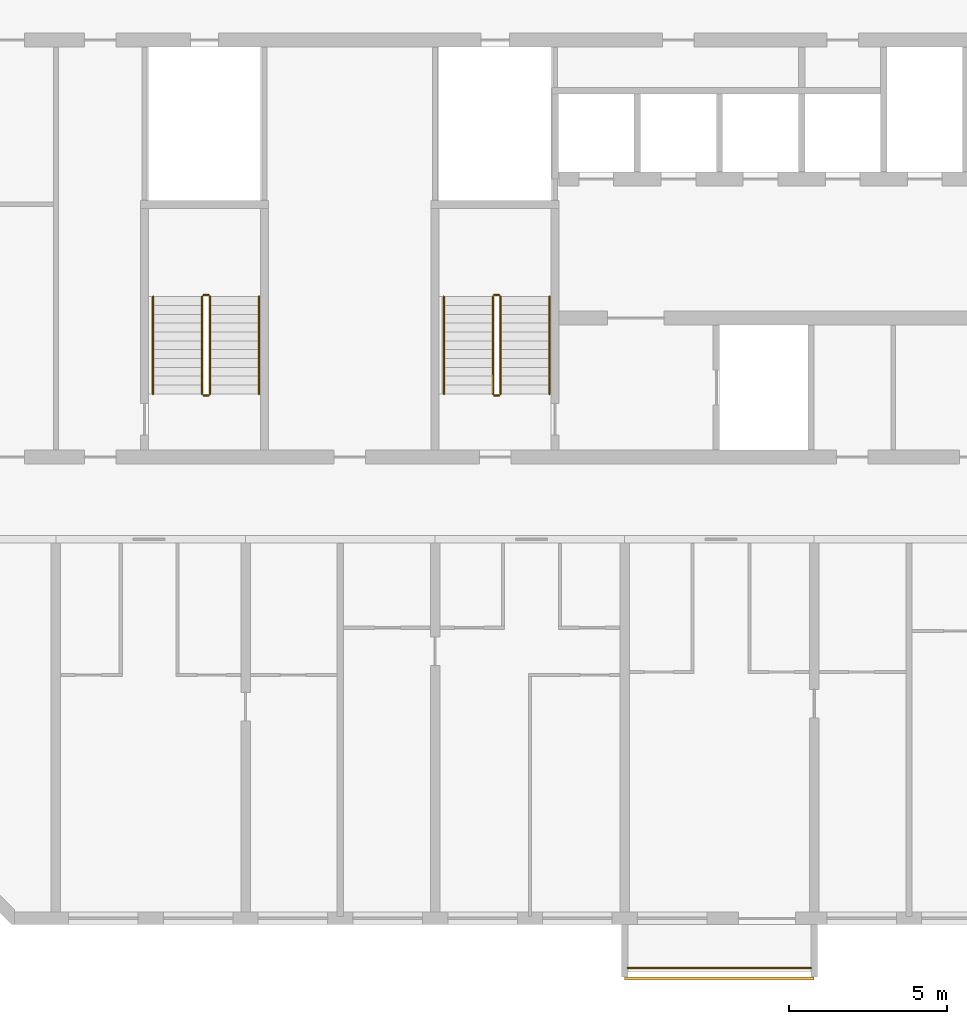
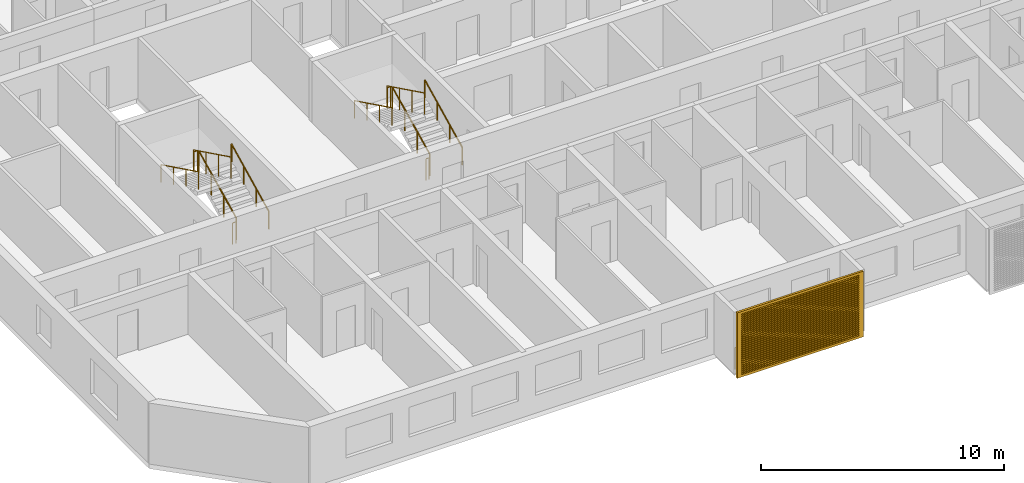
# One storey, part 14 of 32: 13 railings, 1 shading device.
"""IFC4 building model written with IfcOpenShell, lengths in metres."""

from ifc_helpers import new_model, si_unit, direction, frame, origin, origin_2d, place, context, subcontext, project, spatial, polyline, circle, outline, extrude, source, transform, mapped, material, material_profile, profile_set, type_object, element, save


model = new_model("IFC4")

# Units and contexts
model_context = context("Model", 3, precision=1e-05, world=origin(), true_north=direction((0.0, 1.0)))
body_context = subcontext(model_context, "Body", "Model", "MODEL_VIEW")
ifc_project = project(units=[si_unit("LENGTHUNIT", "METRE"), si_unit("AREAUNIT", "SQUARE_METRE"), si_unit("VOLUMEUNIT", "CUBIC_METRE"), si_unit("PLANEANGLEUNIT", "RADIAN"), si_unit("MASSUNIT", "GRAM", prefix="KILO")], contexts=[model_context])

# Site, building, storey
site_placement = place(None, origin())
site = spatial("IfcSite", under=ifc_project, at=site_placement, CompositionType="ELEMENT")
building_placement = place(site_placement, origin())
building = spatial("IfcBuilding", under=site, at=building_placement, Name="Poui Terraces", CompositionType="ELEMENT")
storey_placement = place(building_placement, frame((0.0, 0.0, 122.39990234375)))
storey = spatial("IfcBuildingStorey", under=building, at=storey_placement, Name="L33", CompositionType="ELEMENT", Elevation=122.39990234375)

# Railings
ifc_material_1 = material(Name="Painted steel fretwork", Category="steel")
railing_type_1 = type_object("IfcRailingType", Name="BALCONY GUARD 1100", PredefinedType="GUARDRAIL", material=ifc_material_1)
railing_1_placement = place(storey_placement, frame((36.10009765625, -1.570068359375, 0.0)))
element("IfcRailing", 1, at=railing_1_placement, inside=storey, type_object=railing_type_1, Name="BALCONY GUARD", PredefinedType="GUARDRAIL", context=body_context, shape_type="SweptSolid", body=[
    extrude(circle(Radius=0.02392578125, at=origin_2d()), frame((0.0, 0.0, 1.076171875), z_axis=(1.0, 0.0, 0.0), x_axis=(0.0, 1.0, 0.0)), (0.0, 0.0, 1.0), 5.7998046875),
    extrude(circle(Radius=0.02099609375, at=origin_2d()), origin(), (0.0, 0.0, 1.0), 1.052001953125),
    extrude(circle(Radius=0.02099609375, at=origin_2d()), frame((0.966552734375, 0.0, 0.0)), (0.0, 0.0, 1.0), 1.052001953125),
    extrude(circle(Radius=0.02099609375, at=origin_2d()), frame((1.933349609375, 0.0, 0.0)), (0.0, 0.0, 1.0), 1.052001953125),
    extrude(circle(Radius=0.02099609375, at=origin_2d()), frame((2.89990234375, 0.0, 0.0)), (0.0, 0.0, 1.0), 1.052001953125),
    extrude(circle(Radius=0.02099609375, at=origin_2d()), frame((3.866455078125, 0.0, 0.0)), (0.0, 0.0, 1.0), 1.052001953125),
    extrude(circle(Radius=0.02099609375, at=origin_2d()), frame((4.833251953125, 0.0, 0.0)), (0.0, 0.0, 1.0), 1.052001953125),
    extrude(circle(Radius=0.02099609375, at=origin_2d()), frame((5.7998046875, 0.0, 0.0)), (0.0, 0.0, 1.0), 1.052001953125),
])
ifc_material_2 = material(Name="Galvanised steel balustrade", Category="steel")
railing_type_2 = type_object("IfcRailingType", Name="STAIR GUARD 1100", PredefinedType="GUARDRAIL", material=ifc_material_2)
railing_2_placement = place(storey_placement, frame((32.074951171875, 16.60009765625, 0.1376953125)))
element("IfcRailing", 2, at=railing_2_placement, inside=storey, type_object=railing_type_2, Name="L33 ST-CW stair guard 1", PredefinedType="GUARDRAIL", context=body_context, shape_type="SweptSolid", body=[
    extrude(circle(Radius=0.02392578125, at=origin_2d()), frame((0.0, 0.0, 1.076171875), z_axis=(0.0, 0.897606190399, 0.440798283751), x_axis=(-1.0, 0.0, 0.0)), (0.0, 0.0, 1.0), 3.43115234375),
    extrude(circle(Radius=0.02099609375, at=origin_2d()), origin(), (0.0, 0.0, 1.0), 1.052001953125),
    extrude(circle(Radius=0.02099609375, at=origin_2d()), frame((0.0, 1.026611328125, 0.504150390625)), (0.0, 0.0, 1.0), 1.052001953125),
    extrude(circle(Radius=0.02099609375, at=origin_2d()), frame((0.0, 2.05322265625, 1.00830078125)), (0.0, 0.0, 1.0), 1.052001953125),
    extrude(circle(Radius=0.02099609375, at=origin_2d()), frame((0.0, 3.079833984375, 1.512451171875)), (0.0, 0.0, 1.0), 1.052001953125),
])
railing_3_placement = place(storey_placement, frame((32.02490234375, 19.72998046875, 1.650146484375)))
element("IfcRailing", 3, at=railing_3_placement, inside=storey, type_object=railing_type_2, Name="L33 ST-CW stair guard 2", PredefinedType="GUARDRAIL", context=body_context, shape_type="SweptSolid", body=[
    extrude(circle(Radius=0.02392578125, at=origin_2d()), frame((0.0, 0.0, 1.076171875), z_axis=(-1.0, 0.0, 0.0), x_axis=(0.0, -1.0, 0.0)), (0.0, 0.0, 1.0), 0.14990234375),
    extrude(circle(Radius=0.02099609375, at=origin_2d()), origin(), (0.0, 0.0, 1.0), 1.052001953125),
    extrude(circle(Radius=0.02099609375, at=origin_2d()), frame((-0.14990234375, 0.0, 0.0)), (0.0, 0.0, 1.0), 1.052001953125),
])
railing_4_placement = place(storey_placement, frame((31.824951171875, 19.679931640625, 1.78759765625)))
element("IfcRailing", 4, at=railing_4_placement, inside=storey, type_object=railing_type_2, Name="L33 ST-CW stair guard 3", PredefinedType="GUARDRAIL", context=body_context, shape_type="SweptSolid", body=[
    extrude(circle(Radius=0.02392578125, at=origin_2d()), frame((0.0, 0.0, 1.076171875), z_axis=(0.0, -0.897606190399, 0.440798283751), x_axis=(1.0, 0.0, 0.0)), (0.0, 0.0, 1.0), 3.43115234375),
    extrude(circle(Radius=0.02099609375, at=origin_2d()), origin(), (0.0, 0.0, 1.0), 1.052001953125),
    extrude(circle(Radius=0.02099609375, at=origin_2d()), frame((0.0, -1.026611328125, 0.504150390625)), (0.0, 0.0, 1.0), 1.052001953125),
    extrude(circle(Radius=0.02099609375, at=origin_2d()), frame((0.0, -2.05322265625, 1.00830078125)), (0.0, 0.0, 1.0), 1.052001953125),
    extrude(circle(Radius=0.02099609375, at=origin_2d()), frame((0.0, -3.079833984375, 1.512451171875)), (0.0, 0.0, 1.0), 1.052001953125),
])
railing_5_placement = place(storey_placement, frame((32.02490234375, 16.550048828125, 0.0)))
element("IfcRailing", 5, at=railing_5_placement, inside=storey, type_object=railing_type_2, Name="L33 ST-CW stair guard 4", PredefinedType="GUARDRAIL", context=body_context, shape_type="SweptSolid", body=[
    extrude(circle(Radius=0.02392578125, at=origin_2d()), frame((0.0, 0.0, 1.076171875), z_axis=(-1.0, 0.0, 0.0), x_axis=(0.0, -1.0, 0.0)), (0.0, 0.0, 1.0), 0.14990234375),
    extrude(circle(Radius=0.02099609375, at=origin_2d()), origin(), (0.0, 0.0, 1.0), 1.052001953125),
    extrude(circle(Radius=0.02099609375, at=origin_2d()), frame((-0.14990234375, 0.0, 0.0)), (0.0, 0.0, 1.0), 1.052001953125),
])
railing_6_placement = place(storey_placement, frame((22.875, 16.60009765625, 0.1376953125)))
element("IfcRailing", 6, at=railing_6_placement, inside=storey, type_object=railing_type_2, Name="L33 ST-W stair guard 1", PredefinedType="GUARDRAIL", context=body_context, shape_type="SweptSolid", body=[
    extrude(circle(Radius=0.02392578125, at=origin_2d()), frame((0.0, 0.0, 1.076171875), z_axis=(0.0, 0.897606190399, 0.440798283751), x_axis=(-1.0, 0.0, 0.0)), (0.0, 0.0, 1.0), 3.43115234375),
    extrude(circle(Radius=0.02099609375, at=origin_2d()), origin(), (0.0, 0.0, 1.0), 1.052001953125),
    extrude(circle(Radius=0.02099609375, at=origin_2d()), frame((0.0, 1.026611328125, 0.504150390625)), (0.0, 0.0, 1.0), 1.052001953125),
    extrude(circle(Radius=0.02099609375, at=origin_2d()), frame((0.0, 2.05322265625, 1.00830078125)), (0.0, 0.0, 1.0), 1.052001953125),
    extrude(circle(Radius=0.02099609375, at=origin_2d()), frame((0.0, 3.079833984375, 1.512451171875)), (0.0, 0.0, 1.0), 1.052001953125),
])
railing_7_placement = place(storey_placement, frame((22.824951171875, 19.72998046875, 1.650146484375)))
element("IfcRailing", 7, at=railing_7_placement, inside=storey, type_object=railing_type_2, Name="L33 ST-W stair guard 2", PredefinedType="GUARDRAIL", context=body_context, shape_type="SweptSolid", body=[
    extrude(circle(Radius=0.02392578125, at=origin_2d()), frame((0.0, 0.0, 1.076171875), z_axis=(-1.0, 0.0, 0.0), x_axis=(0.0, -1.0, 0.0)), (0.0, 0.0, 1.0), 0.14990234375),
    extrude(circle(Radius=0.02099609375, at=origin_2d()), origin(), (0.0, 0.0, 1.0), 1.052001953125),
    extrude(circle(Radius=0.02099609375, at=origin_2d()), frame((-0.14990234375, 0.0, 0.0)), (0.0, 0.0, 1.0), 1.052001953125),
])
railing_8_placement = place(storey_placement, frame((22.625, 19.679931640625, 1.78759765625)))
element("IfcRailing", 8, at=railing_8_placement, inside=storey, type_object=railing_type_2, Name="L33 ST-W stair guard 3", PredefinedType="GUARDRAIL", context=body_context, shape_type="SweptSolid", body=[
    extrude(circle(Radius=0.02392578125, at=origin_2d()), frame((0.0, 0.0, 1.076171875), z_axis=(0.0, -0.897606190399, 0.440798283751), x_axis=(1.0, 0.0, 0.0)), (0.0, 0.0, 1.0), 3.43115234375),
    extrude(circle(Radius=0.02099609375, at=origin_2d()), origin(), (0.0, 0.0, 1.0), 1.052001953125),
    extrude(circle(Radius=0.02099609375, at=origin_2d()), frame((0.0, -1.026611328125, 0.504150390625)), (0.0, 0.0, 1.0), 1.052001953125),
    extrude(circle(Radius=0.02099609375, at=origin_2d()), frame((0.0, -2.05322265625, 1.00830078125)), (0.0, 0.0, 1.0), 1.052001953125),
    extrude(circle(Radius=0.02099609375, at=origin_2d()), frame((0.0, -3.079833984375, 1.512451171875)), (0.0, 0.0, 1.0), 1.052001953125),
])
railing_9_placement = place(storey_placement, frame((22.824951171875, 16.550048828125, 0.0)))
element("IfcRailing", 9, at=railing_9_placement, inside=storey, type_object=railing_type_2, Name="L33 ST-W stair guard 4", PredefinedType="GUARDRAIL", context=body_context, shape_type="SweptSolid", body=[
    extrude(circle(Radius=0.02392578125, at=origin_2d()), frame((0.0, 0.0, 1.076171875), z_axis=(-1.0, 0.0, 0.0), x_axis=(0.0, -1.0, 0.0)), (0.0, 0.0, 1.0), 0.14990234375),
    extrude(circle(Radius=0.02099609375, at=origin_2d()), origin(), (0.0, 0.0, 1.0), 1.052001953125),
    extrude(circle(Radius=0.02099609375, at=origin_2d()), frame((-0.14990234375, 0.0, 0.0)), (0.0, 0.0, 1.0), 1.052001953125),
])
ifc_material_3 = material(Name="Stainless steel handrail", Category="steel")
railing_type_3 = type_object("IfcRailingType", Name="STAIR HANDRAIL 900", PredefinedType="HANDRAIL", material=ifc_material_3)
railing_10_placement = place(storey_placement, frame((33.625, 16.60009765625, 0.1376953125)))
element("IfcRailing", 10, at=railing_10_placement, inside=storey, type_object=railing_type_3, Name="L33 ST-CW stair handrail 1", PredefinedType="HANDRAIL", context=body_context, shape_type="SweptSolid", body=[
    extrude(circle(Radius=0.02392578125, at=origin_2d()), frame((0.0, 0.0, 0.8759765625), z_axis=(0.0, 0.897606190399, 0.440798283751), x_axis=(-1.0, 0.0, 0.0)), (0.0, 0.0, 1.0), 3.43115234375),
    extrude(circle(Radius=0.02099609375, at=origin_2d()), origin(), (0.0, 0.0, 1.0), 0.851806640625),
    extrude(circle(Radius=0.02099609375, at=origin_2d()), frame((0.0, 1.026611328125, 0.504150390625)), (0.0, 0.0, 1.0), 0.851806640625),
    extrude(circle(Radius=0.02099609375, at=origin_2d()), frame((0.0, 2.05322265625, 1.00830078125)), (0.0, 0.0, 1.0), 0.851806640625),
    extrude(circle(Radius=0.02099609375, at=origin_2d()), frame((0.0, 3.079833984375, 1.512451171875)), (0.0, 0.0, 1.0), 0.851806640625),
])
railing_11_placement = place(storey_placement, frame((30.27490234375, 19.679931640625, 1.78759765625)))
element("IfcRailing", 11, at=railing_11_placement, inside=storey, type_object=railing_type_3, Name="L33 ST-CW stair handrail 2", PredefinedType="HANDRAIL", context=body_context, shape_type="SweptSolid", body=[
    extrude(circle(Radius=0.02392578125, at=origin_2d()), frame((0.0, 0.0, 0.8759765625), z_axis=(0.0, -0.897606190399, 0.440798283751), x_axis=(1.0, 0.0, 0.0)), (0.0, 0.0, 1.0), 3.43115234375),
    extrude(circle(Radius=0.02099609375, at=origin_2d()), origin(), (0.0, 0.0, 1.0), 0.851806640625),
    extrude(circle(Radius=0.02099609375, at=origin_2d()), frame((0.0, -1.026611328125, 0.504150390625)), (0.0, 0.0, 1.0), 0.851806640625),
    extrude(circle(Radius=0.02099609375, at=origin_2d()), frame((0.0, -2.05322265625, 1.00830078125)), (0.0, 0.0, 1.0), 0.851806640625),
    extrude(circle(Radius=0.02099609375, at=origin_2d()), frame((0.0, -3.079833984375, 1.512451171875)), (0.0, 0.0, 1.0), 0.851806640625),
])
railing_12_placement = place(storey_placement, frame((24.425048828125, 16.60009765625, 0.1376953125)))
element("IfcRailing", 12, at=railing_12_placement, inside=storey, type_object=railing_type_3, Name="L33 ST-W stair handrail 1", PredefinedType="HANDRAIL", context=body_context, shape_type="SweptSolid", body=[
    extrude(circle(Radius=0.02392578125, at=origin_2d()), frame((0.0, 0.0, 0.8759765625), z_axis=(0.0, 0.897606190399, 0.440798283751), x_axis=(-1.0, 0.0, 0.0)), (0.0, 0.0, 1.0), 3.43115234375),
    extrude(circle(Radius=0.02099609375, at=origin_2d()), origin(), (0.0, 0.0, 1.0), 0.851806640625),
    extrude(circle(Radius=0.02099609375, at=origin_2d()), frame((0.0, 1.026611328125, 0.504150390625)), (0.0, 0.0, 1.0), 0.851806640625),
    extrude(circle(Radius=0.02099609375, at=origin_2d()), frame((0.0, 2.05322265625, 1.00830078125)), (0.0, 0.0, 1.0), 0.851806640625),
    extrude(circle(Radius=0.02099609375, at=origin_2d()), frame((0.0, 3.079833984375, 1.512451171875)), (0.0, 0.0, 1.0), 0.851806640625),
])
railing_13_placement = place(storey_placement, frame((21.074951171875, 19.679931640625, 1.78759765625)))
element("IfcRailing", 13, at=railing_13_placement, inside=storey, type_object=railing_type_3, Name="L33 ST-W stair handrail 2", PredefinedType="HANDRAIL", context=body_context, shape_type="SweptSolid", body=[
    extrude(circle(Radius=0.02392578125, at=origin_2d()), frame((0.0, 0.0, 0.8759765625), z_axis=(0.0, -0.897606190399, 0.440798283751), x_axis=(1.0, 0.0, 0.0)), (0.0, 0.0, 1.0), 3.43115234375),
    extrude(circle(Radius=0.02099609375, at=origin_2d()), origin(), (0.0, 0.0, 1.0), 0.851806640625),
    extrude(circle(Radius=0.02099609375, at=origin_2d()), frame((0.0, -1.026611328125, 0.504150390625)), (0.0, 0.0, 1.0), 0.851806640625),
    extrude(circle(Radius=0.02099609375, at=origin_2d()), frame((0.0, -2.05322265625, 1.00830078125)), (0.0, 0.0, 1.0), 0.851806640625),
    extrude(circle(Radius=0.02099609375, at=origin_2d()), frame((0.0, -3.079833984375, 1.512451171875)), (0.0, 0.0, 1.0), 0.851806640625),
])

# Shading device
ifc_material_4 = material(Name="Aluminium louvre", Category="aluminium")
ifc_material_profile = material_profile(ifc_material_4, outline(polyline([(-3.0, -1.64990234375), (3.0, -1.64990234375), (3.0, 1.64990234375), (-3.0, 1.64990234375), (-3.0, -1.64990234375)]), holes=[polyline([(-2.800048828125, -1.530029296875), (2.800048828125, -1.530029296875), (2.800048828125, -1.469970703125), (-2.800048828125, -1.469970703125), (-2.800048828125, -1.530029296875)]), polyline([(-2.800048828125, -1.429931640625), (2.800048828125, -1.429931640625), (2.800048828125, -1.3701171875), (-2.800048828125, -1.3701171875), (-2.800048828125, -1.429931640625)]), polyline([(-2.800048828125, -1.330078125), (2.800048828125, -1.330078125), (2.800048828125, -1.27001953125), (-2.800048828125, -1.27001953125), (-2.800048828125, -1.330078125)]), polyline([(-2.800048828125, -1.22998046875), (2.800048828125, -1.22998046875), (2.800048828125, -1.169921875), (-2.800048828125, -1.169921875), (-2.800048828125, -1.22998046875)]), polyline([(-2.800048828125, -1.1298828125), (2.800048828125, -1.1298828125), (2.800048828125, -1.070068359375), (-2.800048828125, -1.070068359375), (-2.800048828125, -1.1298828125)]), polyline([(-2.800048828125, -1.030029296875), (2.800048828125, -1.030029296875), (2.800048828125, -0.969970703125), (-2.800048828125, -0.969970703125), (-2.800048828125, -1.030029296875)]), polyline([(-2.800048828125, -0.929931640625), (2.800048828125, -0.929931640625), (2.800048828125, -0.8701171875), (-2.800048828125, -0.8701171875), (-2.800048828125, -0.929931640625)]), polyline([(-2.800048828125, -0.830078125), (2.800048828125, -0.830078125), (2.800048828125, -0.77001953125), (-2.800048828125, -0.77001953125), (-2.800048828125, -0.830078125)]), polyline([(-2.800048828125, -0.72998046875), (2.800048828125, -0.72998046875), (2.800048828125, -0.669921875), (-2.800048828125, -0.669921875), (-2.800048828125, -0.72998046875)]), polyline([(-2.800048828125, -0.6298828125), (2.800048828125, -0.6298828125), (2.800048828125, -0.570068359375), (-2.800048828125, -0.570068359375), (-2.800048828125, -0.6298828125)]), polyline([(-2.800048828125, -0.530029296875), (2.800048828125, -0.530029296875), (2.800048828125, -0.469970703125), (-2.800048828125, -0.469970703125), (-2.800048828125, -0.530029296875)]), polyline([(-2.800048828125, -0.429931640625), (2.800048828125, -0.429931640625), (2.800048828125, -0.3701171875), (-2.800048828125, -0.3701171875), (-2.800048828125, -0.429931640625)]), polyline([(-2.800048828125, -0.330078125), (2.800048828125, -0.330078125), (2.800048828125, -0.27001953125), (-2.800048828125, -0.27001953125), (-2.800048828125, -0.330078125)]), polyline([(-2.800048828125, -0.22998046875), (2.800048828125, -0.22998046875), (2.800048828125, -0.169921875), (-2.800048828125, -0.169921875), (-2.800048828125, -0.22998046875)]), polyline([(-2.800048828125, -0.1298828125), (2.800048828125, -0.1298828125), (2.800048828125, -0.070068359375), (-2.800048828125, -0.070068359375), (-2.800048828125, -0.1298828125)]), polyline([(-2.800048828125, -0.030029296875), (2.800048828125, -0.030029296875), (2.800048828125, 0.030029296875), (-2.800048828125, 0.030029296875), (-2.800048828125, -0.030029296875)]), polyline([(-2.800048828125, 0.070068359375), (2.800048828125, 0.070068359375), (2.800048828125, 0.1298828125), (-2.800048828125, 0.1298828125), (-2.800048828125, 0.070068359375)]), polyline([(-2.800048828125, 0.169921875), (2.800048828125, 0.169921875), (2.800048828125, 0.22998046875), (-2.800048828125, 0.22998046875), (-2.800048828125, 0.169921875)]), polyline([(-2.800048828125, 0.27001953125), (2.800048828125, 0.27001953125), (2.800048828125, 0.330078125), (-2.800048828125, 0.330078125), (-2.800048828125, 0.27001953125)]), polyline([(-2.800048828125, 0.3701171875), (2.800048828125, 0.3701171875), (2.800048828125, 0.429931640625), (-2.800048828125, 0.429931640625), (-2.800048828125, 0.3701171875)]), polyline([(-2.800048828125, 0.469970703125), (2.800048828125, 0.469970703125), (2.800048828125, 0.530029296875), (-2.800048828125, 0.530029296875), (-2.800048828125, 0.469970703125)]), polyline([(-2.800048828125, 0.570068359375), (2.800048828125, 0.570068359375), (2.800048828125, 0.6298828125), (-2.800048828125, 0.6298828125), (-2.800048828125, 0.570068359375)]), polyline([(-2.800048828125, 0.669921875), (2.800048828125, 0.669921875), (2.800048828125, 0.72998046875), (-2.800048828125, 0.72998046875), (-2.800048828125, 0.669921875)]), polyline([(-2.800048828125, 0.77001953125), (2.800048828125, 0.77001953125), (2.800048828125, 0.830078125), (-2.800048828125, 0.830078125), (-2.800048828125, 0.77001953125)]), polyline([(-2.800048828125, 0.8701171875), (2.800048828125, 0.8701171875), (2.800048828125, 0.929931640625), (-2.800048828125, 0.929931640625), (-2.800048828125, 0.8701171875)]), polyline([(-2.800048828125, 0.969970703125), (2.800048828125, 0.969970703125), (2.800048828125, 1.030029296875), (-2.800048828125, 1.030029296875), (-2.800048828125, 0.969970703125)]), polyline([(-2.800048828125, 1.070068359375), (2.800048828125, 1.070068359375), (2.800048828125, 1.1298828125), (-2.800048828125, 1.1298828125), (-2.800048828125, 1.070068359375)]), polyline([(-2.800048828125, 1.169921875), (2.800048828125, 1.169921875), (2.800048828125, 1.22998046875), (-2.800048828125, 1.22998046875), (-2.800048828125, 1.169921875)]), polyline([(-2.800048828125, 1.27001953125), (2.800048828125, 1.27001953125), (2.800048828125, 1.330078125), (-2.800048828125, 1.330078125), (-2.800048828125, 1.27001953125)]), polyline([(-2.800048828125, 1.3701171875), (2.800048828125, 1.3701171875), (2.800048828125, 1.429931640625), (-2.800048828125, 1.429931640625), (-2.800048828125, 1.3701171875)]), polyline([(-2.800048828125, 1.469970703125), (2.800048828125, 1.469970703125), (2.800048828125, 1.530029296875), (-2.800048828125, 1.530029296875), (-2.800048828125, 1.469970703125)])]), Name="JALOUSIE LOUVRE SHUTTER 6000X3300")
ifc_profile_set = profile_set([ifc_material_profile], Name="Aluminium louvre")
shading_device_type = type_object("IfcShadingDeviceType", Name="JALOUSIE LOUVRE SHUTTER 6000X3300", PredefinedType="JALOUSIE", material=ifc_profile_set)
shared_shape = source(origin(), body_context, "Body", "SweptSolid", [
    extrude(outline(polyline([(-3.0, -1.64990234375), (3.0, -1.64990234375), (3.0, 1.64990234375), (-3.0, 1.64990234375), (-3.0, -1.64990234375)]), holes=[polyline([(-2.800048828125, -1.530029296875), (2.800048828125, -1.530029296875), (2.800048828125, -1.469970703125), (-2.800048828125, -1.469970703125), (-2.800048828125, -1.530029296875)]), polyline([(-2.800048828125, -1.429931640625), (2.800048828125, -1.429931640625), (2.800048828125, -1.3701171875), (-2.800048828125, -1.3701171875), (-2.800048828125, -1.429931640625)]), polyline([(-2.800048828125, -1.330078125), (2.800048828125, -1.330078125), (2.800048828125, -1.27001953125), (-2.800048828125, -1.27001953125), (-2.800048828125, -1.330078125)]), polyline([(-2.800048828125, -1.22998046875), (2.800048828125, -1.22998046875), (2.800048828125, -1.169921875), (-2.800048828125, -1.169921875), (-2.800048828125, -1.22998046875)]), polyline([(-2.800048828125, -1.1298828125), (2.800048828125, -1.1298828125), (2.800048828125, -1.070068359375), (-2.800048828125, -1.070068359375), (-2.800048828125, -1.1298828125)]), polyline([(-2.800048828125, -1.030029296875), (2.800048828125, -1.030029296875), (2.800048828125, -0.969970703125), (-2.800048828125, -0.969970703125), (-2.800048828125, -1.030029296875)]), polyline([(-2.800048828125, -0.929931640625), (2.800048828125, -0.929931640625), (2.800048828125, -0.8701171875), (-2.800048828125, -0.8701171875), (-2.800048828125, -0.929931640625)]), polyline([(-2.800048828125, -0.830078125), (2.800048828125, -0.830078125), (2.800048828125, -0.77001953125), (-2.800048828125, -0.77001953125), (-2.800048828125, -0.830078125)]), polyline([(-2.800048828125, -0.72998046875), (2.800048828125, -0.72998046875), (2.800048828125, -0.669921875), (-2.800048828125, -0.669921875), (-2.800048828125, -0.72998046875)]), polyline([(-2.800048828125, -0.6298828125), (2.800048828125, -0.6298828125), (2.800048828125, -0.570068359375), (-2.800048828125, -0.570068359375), (-2.800048828125, -0.6298828125)]), polyline([(-2.800048828125, -0.530029296875), (2.800048828125, -0.530029296875), (2.800048828125, -0.469970703125), (-2.800048828125, -0.469970703125), (-2.800048828125, -0.530029296875)]), polyline([(-2.800048828125, -0.429931640625), (2.800048828125, -0.429931640625), (2.800048828125, -0.3701171875), (-2.800048828125, -0.3701171875), (-2.800048828125, -0.429931640625)]), polyline([(-2.800048828125, -0.330078125), (2.800048828125, -0.330078125), (2.800048828125, -0.27001953125), (-2.800048828125, -0.27001953125), (-2.800048828125, -0.330078125)]), polyline([(-2.800048828125, -0.22998046875), (2.800048828125, -0.22998046875), (2.800048828125, -0.169921875), (-2.800048828125, -0.169921875), (-2.800048828125, -0.22998046875)]), polyline([(-2.800048828125, -0.1298828125), (2.800048828125, -0.1298828125), (2.800048828125, -0.070068359375), (-2.800048828125, -0.070068359375), (-2.800048828125, -0.1298828125)]), polyline([(-2.800048828125, -0.030029296875), (2.800048828125, -0.030029296875), (2.800048828125, 0.030029296875), (-2.800048828125, 0.030029296875), (-2.800048828125, -0.030029296875)]), polyline([(-2.800048828125, 0.070068359375), (2.800048828125, 0.070068359375), (2.800048828125, 0.1298828125), (-2.800048828125, 0.1298828125), (-2.800048828125, 0.070068359375)]), polyline([(-2.800048828125, 0.169921875), (2.800048828125, 0.169921875), (2.800048828125, 0.22998046875), (-2.800048828125, 0.22998046875), (-2.800048828125, 0.169921875)]), polyline([(-2.800048828125, 0.27001953125), (2.800048828125, 0.27001953125), (2.800048828125, 0.330078125), (-2.800048828125, 0.330078125), (-2.800048828125, 0.27001953125)]), polyline([(-2.800048828125, 0.3701171875), (2.800048828125, 0.3701171875), (2.800048828125, 0.429931640625), (-2.800048828125, 0.429931640625), (-2.800048828125, 0.3701171875)]), polyline([(-2.800048828125, 0.469970703125), (2.800048828125, 0.469970703125), (2.800048828125, 0.530029296875), (-2.800048828125, 0.530029296875), (-2.800048828125, 0.469970703125)]), polyline([(-2.800048828125, 0.570068359375), (2.800048828125, 0.570068359375), (2.800048828125, 0.6298828125), (-2.800048828125, 0.6298828125), (-2.800048828125, 0.570068359375)]), polyline([(-2.800048828125, 0.669921875), (2.800048828125, 0.669921875), (2.800048828125, 0.72998046875), (-2.800048828125, 0.72998046875), (-2.800048828125, 0.669921875)]), polyline([(-2.800048828125, 0.77001953125), (2.800048828125, 0.77001953125), (2.800048828125, 0.830078125), (-2.800048828125, 0.830078125), (-2.800048828125, 0.77001953125)]), polyline([(-2.800048828125, 0.8701171875), (2.800048828125, 0.8701171875), (2.800048828125, 0.929931640625), (-2.800048828125, 0.929931640625), (-2.800048828125, 0.8701171875)]), polyline([(-2.800048828125, 0.969970703125), (2.800048828125, 0.969970703125), (2.800048828125, 1.030029296875), (-2.800048828125, 1.030029296875), (-2.800048828125, 0.969970703125)]), polyline([(-2.800048828125, 1.070068359375), (2.800048828125, 1.070068359375), (2.800048828125, 1.1298828125), (-2.800048828125, 1.1298828125), (-2.800048828125, 1.070068359375)]), polyline([(-2.800048828125, 1.169921875), (2.800048828125, 1.169921875), (2.800048828125, 1.22998046875), (-2.800048828125, 1.22998046875), (-2.800048828125, 1.169921875)]), polyline([(-2.800048828125, 1.27001953125), (2.800048828125, 1.27001953125), (2.800048828125, 1.330078125), (-2.800048828125, 1.330078125), (-2.800048828125, 1.27001953125)]), polyline([(-2.800048828125, 1.3701171875), (2.800048828125, 1.3701171875), (2.800048828125, 1.429931640625), (-2.800048828125, 1.429931640625), (-2.800048828125, 1.3701171875)]), polyline([(-2.800048828125, 1.469970703125), (2.800048828125, 1.469970703125), (2.800048828125, 1.530029296875), (-2.800048828125, 1.530029296875), (-2.800048828125, 1.469970703125)])]), origin(), (0.0, 0.0, 1.0), 0.099853515625),
])
shading_device_placement = place(storey_placement, frame((39.0, -1.85009765625, 1.4501953125), z_axis=(0.0, -1.0, 0.0), x_axis=(1.0, 0.0, 0.0)))
element("IfcShadingDevice", 14, at=shading_device_placement, inside=storey, type_object=shading_device_type, Name="JALOUSIE LOUVRE SHUTTER", PredefinedType="JALOUSIE", context=body_context, shape_type="MappedRepresentation", body=[
    mapped(shared_shape, transform((0.0, 0.0, 0.0))),
])

save(model, "model.ifc")
